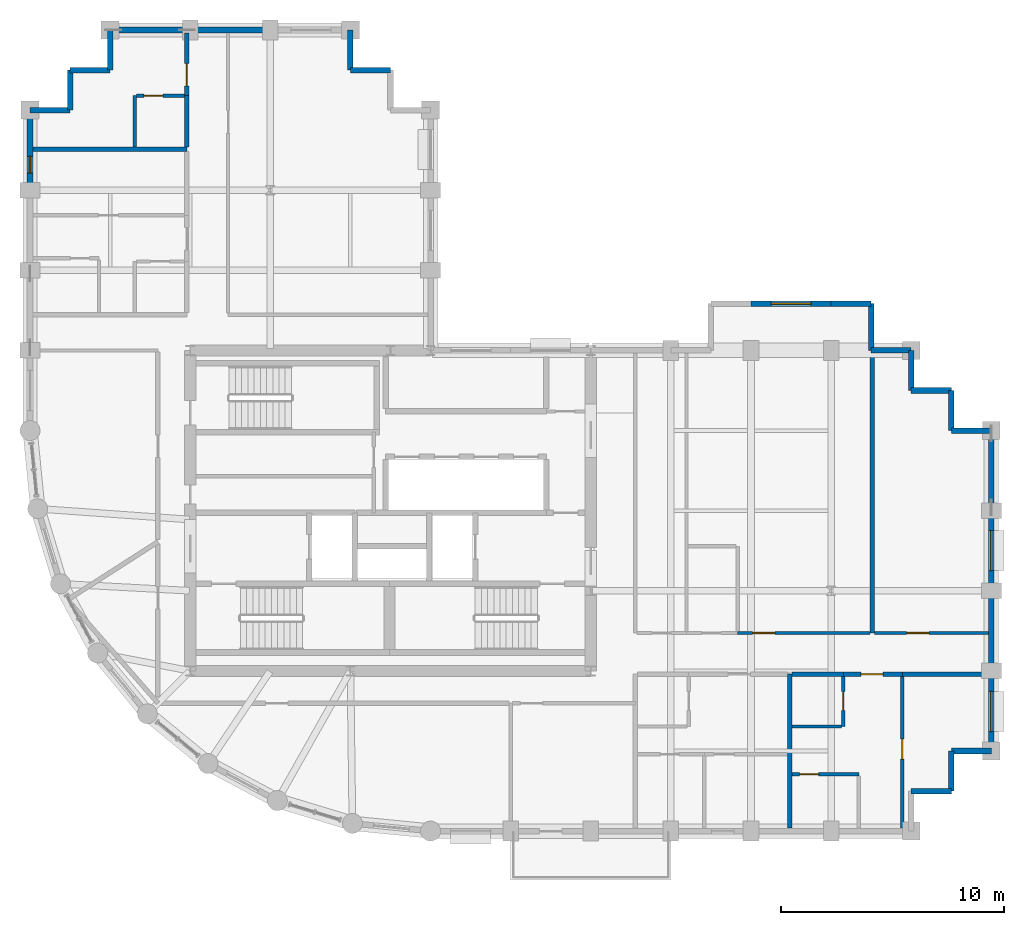
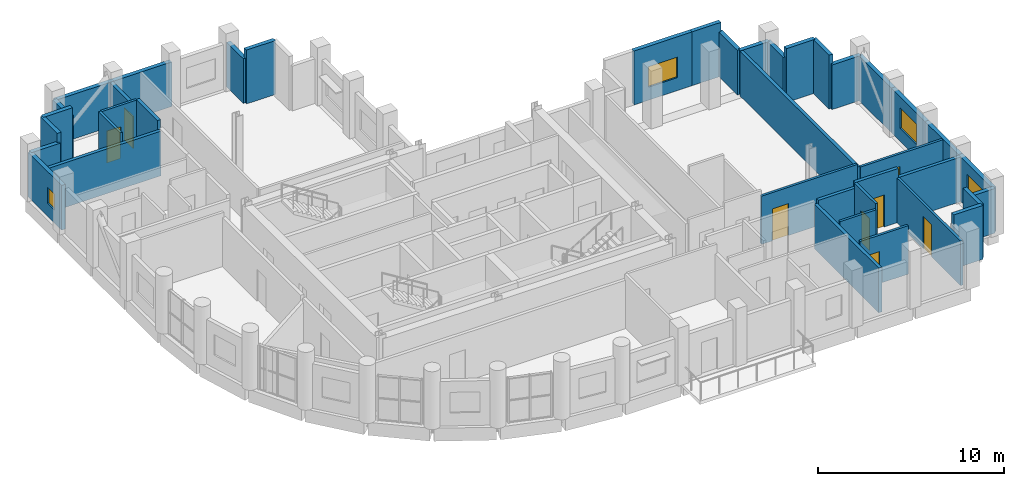
# One storey, part 9 of 12: 40 walls, 8 doors, 4 windows, 12 openings.
"""IFC4 building model written with IfcOpenShell, lengths in metres."""

from ifc_helpers import new_model, si_unit, direction, frame, frame_2d, origin, place, context, subcontext, project, spatial, rectangle, extrude, material, layer, layer_set, type_object, element, fill, save


model = new_model("IFC4")

# Units and contexts
model_context = context("Model", 3, precision=1e-05, world=origin(), true_north=direction((0.0, 1.0)))
body_context = subcontext(model_context, "Body", "Model", "MODEL_VIEW")
ifc_project = project(units=[si_unit("LENGTHUNIT", "METRE"), si_unit("AREAUNIT", "SQUARE_METRE"), si_unit("VOLUMEUNIT", "CUBIC_METRE"), si_unit("PLANEANGLEUNIT", "RADIAN"), si_unit("MASSUNIT", "GRAM", prefix="KILO")], contexts=[model_context])

# Site, building, storey
site_placement = place(None, origin())
site = spatial("IfcSite", under=ifc_project, at=site_placement, CompositionType="ELEMENT")
building_placement = place(site_placement, origin())
building = spatial("IfcBuilding", under=site, at=building_placement, Name="Solnavia Interchange Tower", CompositionType="ELEMENT")
storey_placement = place(building_placement, frame((0.0, 0.0, 182.39990234375)))
storey = spatial("IfcBuildingStorey", under=building, at=storey_placement, Name="L45", CompositionType="ELEMENT", Elevation=182.39990234375)

# Walls
ifc_material_1 = material(Name="Gypsum Acoustic Twin-Stud & Mineral Wool", Category="gypsum")
ifc_layer_1 = layer(ifc_material_1, 0.199951171875)
ifc_layer_set_1 = layer_set([ifc_layer_1], Name="Gypsum Acoustic Twin-Stud & Mineral Wool")
wall_type_1 = type_object("IfcWallType", Name="Wall-ApartmentParty-200", PredefinedType="PARTITIONING", material=ifc_layer_set_1)
wall_1_placement = place(storey_placement, frame((41.35009765625, 3.72900390625, 0.0), z_axis=(0.0, 0.0, 1.0), x_axis=(0.0, 1.0, 0.0)))
element("IfcWall", 1, at=wall_1_placement, inside=storey, type_object=wall_type_1, Name="PTW-L45-16 Interior partition wall", PredefinedType="PARTITIONING", context=body_context, shape_type="SweptSolid", body=[
    extrude(rectangle(XDim=6.9208984375, YDim=0.199951171875, at=frame_2d((3.46044921875, 0.0))), origin(), (0.0, 0.0, 1.0), 2.93017578125),
])
wall_2_placement = place(storey_placement, frame((41.4541015625, 10.64990234375, 0.0), z_axis=(0.0, 0.0, 1.0), x_axis=(1.0, 0.0, 0.0)))
element("IfcWall", 2, at=wall_2_placement, inside=storey, type_object=wall_type_1, Name="PTW-L45-24 Interior partition wall", PredefinedType="PARTITIONING", context=body_context, shape_type="SweptSolid", body=[
    extrude(rectangle(XDim=2.2958984375, YDim=0.199951171875, at=frame_2d((1.14794921875, 0.0))), origin(), (0.0, 0.0, 1.0), 3.170166015625),
])

# Wall, opening, door
wall_3_placement = place(storey_placement, frame((43.75, 10.64990234375, 0.0), z_axis=(0.0, 0.0, 1.0), x_axis=(1.0, 0.0, 0.0)))
wall_3 = element("IfcWall", 3, at=wall_3_placement, inside=storey, type_object=wall_type_1, Name="PTW-L45-27 Interior partition wall", PredefinedType="PARTITIONING", context=body_context, shape_type="SweptSolid", body=[
    extrude(rectangle(XDim=2.64990234375, YDim=0.199951171875, at=frame_2d((1.324951171875, 0.0))), origin(), (0.0, 0.0, 1.0), 3.53515625),
])
opening_1_placement = place(wall_3_placement, frame((0.7890625, 0.0, 0.0)))
opening_1 = element("IfcOpeningElement", 4, at=opening_1_placement, cuts=wall_3, Name="Opening DR-06", PredefinedType="OPENING", context=body_context, shape_type="SweptSolid", body=[
    extrude(rectangle(XDim=1.0, YDim=2.10009765625, at=frame_2d((0.5, 1.050048828125))), frame((0.0, 0.10986328125, 0.0), z_axis=(0.0, -1.0, 0.0), x_axis=(1.0, 0.0, 0.0)), (0.0, 0.0, 1.0), 0.219970703125),
])
ifc_material_2 = material(Name="Engineered Timber Acoustic Fire Door", Category="wood")
door_type_1 = type_object("IfcDoorType", Name="Door-FlatEntry-1000x2100", OperationType="SINGLE_SWING_LEFT", PredefinedType="DOOR", material=ifc_material_2)
door_1_placement = place(opening_1_placement, origin())
door_1 = element("IfcDoor", 5, at=door_1_placement, inside=storey, type_object=door_type_1, Name="DR-L45-12 Interior room door", OperationType="SINGLE_SWING_LEFT", OverallHeight=2.10009765625, OverallWidth=1.0, PredefinedType="DOOR", context=body_context, shape_type="SweptSolid", body=[
    extrude(rectangle(XDim=1.0, YDim=2.10009765625, at=frame_2d((0.5, 1.050048828125))), frame((0.0, 0.02490234375, 0.0), z_axis=(0.0, -1.0, 0.0), x_axis=(1.0, 0.0, 0.0)), (0.0, 0.0, 1.0), 0.050048828125),
])
fill(opening_1, door_1)

# Walls
wall_4_placement = place(storey_placement, frame((46.39990234375, 10.64990234375, 0.0), z_axis=(0.0, 0.0, 1.0), x_axis=(1.0, 0.0, 0.0)))
element("IfcWall", 6, at=wall_4_placement, inside=storey, type_object=wall_type_1, Name="PTW-L45-28 Interior partition wall", PredefinedType="PARTITIONING", context=body_context, shape_type="SweptSolid", body=[
    extrude(rectangle(XDim=3.87109375, YDim=0.199951171875, at=frame_2d((1.935546875, 0.0))), origin(), (0.0, 0.0, 1.0), 2.93017578125),
])
wall_5_placement = place(storey_placement, frame((45.050048828125, 12.5, 0.0), z_axis=(0.0, 0.0, 1.0), x_axis=(0.0, 1.0, 0.0)))
element("IfcWall", 7, at=wall_5_placement, inside=storey, type_object=wall_type_1, Name="PTW-L45-32 Interior partition wall", PredefinedType="PARTITIONING", context=body_context, shape_type="SweptSolid", body=[
    extrude(rectangle(XDim=12.571044921875, YDim=0.199951171875, at=frame_2d((6.28564453125, 0.0))), origin(), (0.0, 0.0, 1.0), 2.93017578125),
])
wall_6_placement = place(storey_placement, frame((7.3291015625, 34.25, 0.0), z_axis=(0.0, 0.0, 1.0), x_axis=(1.0, 0.0, 0.0)))
element("IfcWall", 8, at=wall_6_placement, inside=storey, type_object=wall_type_1, Name="PTW-L45-36 Interior partition wall", PredefinedType="PARTITIONING", context=body_context, shape_type="SweptSolid", body=[
    extrude(rectangle(XDim=6.9208984375, YDim=0.199951171875, at=frame_2d((3.46044921875, 0.0))), origin(), (0.0, 0.0, 1.0), 2.93017578125),
])
wall_7_placement = place(storey_placement, frame((14.25, 34.35400390625, 0.0), z_axis=(0.0, 0.0, 1.0), x_axis=(0.0, 1.0, 0.0)))
element("IfcWall", 9, at=wall_7_placement, inside=storey, type_object=wall_type_1, Name="PTW-L45-45 Interior partition wall", PredefinedType="PARTITIONING", context=body_context, shape_type="SweptSolid", body=[
    extrude(rectangle(XDim=2.2958984375, YDim=0.199951171875, at=frame_2d((1.14794921875, 0.0))), origin(), (0.0, 0.0, 1.0), 3.53515625),
])

# Wall, opening, door
wall_8_placement = place(storey_placement, frame((14.25, 36.64990234375, 0.0), z_axis=(0.0, 0.0, 1.0), x_axis=(0.0, 1.0, 0.0)))
wall_8 = element("IfcWall", 10, at=wall_8_placement, inside=storey, type_object=wall_type_1, Name="PTW-L45-48 Interior partition wall", PredefinedType="PARTITIONING", context=body_context, shape_type="SweptSolid", body=[
    extrude(rectangle(XDim=2.821044921875, YDim=0.199951171875, at=frame_2d((1.41064453125, 0.0))), origin(), (0.0, 0.0, 1.0), 2.93017578125),
])
opening_2_placement = place(wall_8_placement, frame((0.43701171875, 0.0, 0.0)))
opening_2 = element("IfcOpeningElement", 11, at=opening_2_placement, cuts=wall_8, Name="Opening DR-06", PredefinedType="OPENING", context=body_context, shape_type="SweptSolid", body=[
    extrude(rectangle(XDim=1.0, YDim=2.10009765625, at=frame_2d((0.5, 1.050048828125))), frame((0.0, 0.10986328125, 0.0), z_axis=(0.0, -1.0, 0.0), x_axis=(1.0, 0.0, 0.0)), (0.0, 0.0, 1.0), 0.219970703125),
])
door_2_placement = place(opening_2_placement, origin())
door_2 = element("IfcDoor", 12, at=door_2_placement, inside=storey, type_object=door_type_1, Name="DR-L45-22 Interior room door", OperationType="SINGLE_SWING_RIGHT", OverallHeight=2.10009765625, OverallWidth=1.0, PredefinedType="DOOR", context=body_context, shape_type="SweptSolid", body=[
    extrude(rectangle(XDim=1.0, YDim=2.10009765625, at=frame_2d((0.5, 1.050048828125))), frame((0.0, 0.02490234375, 0.0), z_axis=(0.0, -1.0, 0.0), x_axis=(1.0, 0.0, 0.0)), (0.0, 0.0, 1.0), 0.050048828125),
])
fill(opening_2, door_2)

# Walls
ifc_material_3 = material(Name="Concrete C40/50", Category="concrete")
ifc_layer_2 = layer(ifc_material_3, 0.25)
ifc_layer_set_2 = layer_set([ifc_layer_2], Name="Concrete C40/50")
wall_type_2 = type_object("IfcWallType", Name="Wall-ExtSpandrel-250", PredefinedType="STANDARD", material=ifc_layer_set_2)
for number, where, z_axis, x_axis, name in (
    (13, (48.60009765625, 5.39990234375, 0.0), (0.0, 0.0, 1.0), (-1.0, 0.0, 0.0), "EXW-L45-08 Exterior precast spandrel wall"),
    (14, (48.60009765625, 7.199951171875, 0.0), (0.0, 0.0, 1.0), (0.0, -1.0, 0.0), "EXW-L45-09 Exterior precast spandrel wall"),
):
    element("IfcWall", number, at=place(storey_placement, frame(where, z_axis=z_axis, x_axis=x_axis)), inside=storey, type_object=wall_type_2, Name=name, PredefinedType="STANDARD", context=body_context, shape_type="SweptSolid", body=[
        extrude(rectangle(XDim=1.800048828125, YDim=0.25, at=frame_2d((0.89990234375, 0.0))), origin(), (0.0, 0.0, 1.0), 3.53515625),
    ])
wall_9_placement = place(storey_placement, frame((50.39990234375, 7.199951171875, 0.0), z_axis=(0.0, 0.0, 1.0), x_axis=(-1.0, 0.0, 0.0)))
element("IfcWall", 15, at=wall_9_placement, inside=storey, type_object=wall_type_2, Name="EXW-L45-10 Exterior precast spandrel wall", PredefinedType="STANDARD", context=body_context, shape_type="SweptSolid", body=[
    extrude(rectangle(XDim=1.7998046875, YDim=0.25, at=frame_2d((0.89990234375, 0.0))), origin(), (0.0, 0.0, 1.0), 2.93017578125),
])

# Wall, opening, window
wall_10_placement = place(storey_placement, frame((50.39990234375, 10.800048828125, 0.0), z_axis=(0.0, 0.0, 1.0), x_axis=(0.0, -1.0, 0.0)))
wall_10 = element("IfcWall", 16, at=wall_10_placement, inside=storey, type_object=wall_type_2, Name="EXW-L45-11 Exterior precast spandrel wall", PredefinedType="STANDARD", context=body_context, shape_type="SweptSolid", body=[
    extrude(rectangle(XDim=3.60009765625, YDim=0.25, at=frame_2d((1.800048828125, 0.0))), origin(), (0.0, 0.0, 1.0), 2.93017578125),
])
opening_3_placement = place(wall_10_placement, frame((0.925048828125, 0.0, 0.85009765625)))
opening_3 = element("IfcOpeningElement", 17, at=opening_3_placement, cuts=wall_10, Name="Opening WIN-02", PredefinedType="OPENING", context=body_context, shape_type="SweptSolid", body=[
    extrude(rectangle(XDim=1.800048828125, YDim=1.35009765625, at=frame_2d((0.89990234375, 0.675048828125))), frame((0.0, 0.135009765625, 0.0), z_axis=(0.0, -1.0, 0.0), x_axis=(1.0, 0.0, 0.0)), (0.0, 0.0, 1.0), 0.27001953125),
])
ifc_material_4 = material(Name="Thermal-Break Aluminium & Low-E Glass", Category="aluminium")
window_type_1 = type_object("IfcWindowType", Name="Window-Ribbon-1800x1350", PartitioningType="SINGLE_PANEL", PredefinedType="WINDOW", material=ifc_material_4)
window_1_placement = place(opening_3_placement, origin())
window_1 = element("IfcWindow", 18, at=window_1_placement, inside=storey, type_object=window_type_1, Name="WIN-L45-11 Facade ribbon window", OverallHeight=1.35009765625, OverallWidth=1.800048828125, PartitioningType="SINGLE_PANEL", PredefinedType="WINDOW", context=body_context, shape_type="SweptSolid", body=[
    extrude(rectangle(XDim=1.800048828125, YDim=1.35009765625, at=frame_2d((0.89990234375, 0.675048828125))), frame((0.0, 0.030029296875, 0.0), z_axis=(0.0, -1.0, 0.0), x_axis=(1.0, 0.0, 0.0)), (0.0, 0.0, 1.0), 0.06005859375),
])
fill(opening_3, window_1)

# Wall
wall_11_placement = place(storey_placement, frame((50.39990234375, 14.39990234375, 0.0), z_axis=(0.0, 0.0, 1.0), x_axis=(0.0, -1.0, 0.0)))
element("IfcWall", 19, at=wall_11_placement, inside=storey, type_object=wall_type_2, Name="EXW-L45-12 Exterior precast spandrel wall", PredefinedType="STANDARD", context=body_context, shape_type="SweptSolid", body=[
    extrude(rectangle(XDim=3.599853515625, YDim=0.25, at=frame_2d((1.7998046875, 0.0))), origin(), (0.0, 0.0, 1.0), 2.93017578125),
])

# Wall, opening, window
wall_12_placement = place(storey_placement, frame((50.39990234375, 18.0, 0.0), z_axis=(0.0, 0.0, 1.0), x_axis=(0.0, -1.0, 0.0)))
wall_12 = element("IfcWall", 20, at=wall_12_placement, inside=storey, type_object=wall_type_2, Name="EXW-L45-13 Exterior precast spandrel wall", PredefinedType="STANDARD", context=body_context, shape_type="SweptSolid", body=[
    extrude(rectangle(XDim=3.60009765625, YDim=0.25, at=frame_2d((1.800048828125, 0.0))), origin(), (0.0, 0.0, 1.0), 2.93017578125),
])
opening_4_placement = place(wall_12_placement, frame((0.89990234375, 0.0, 0.85009765625)))
opening_4 = element("IfcOpeningElement", 21, at=opening_4_placement, cuts=wall_12, Name="Opening WIN-02", PredefinedType="OPENING", context=body_context, shape_type="SweptSolid", body=[
    extrude(rectangle(XDim=1.800048828125, YDim=1.35009765625, at=frame_2d((0.89990234375, 0.675048828125))), frame((0.0, 0.135009765625, 0.0), z_axis=(0.0, -1.0, 0.0), x_axis=(1.0, 0.0, 0.0)), (0.0, 0.0, 1.0), 0.27001953125),
])
window_2_placement = place(opening_4_placement, origin())
window_2 = element("IfcWindow", 22, at=window_2_placement, inside=storey, type_object=window_type_1, Name="WIN-L45-13 Facade ribbon window", OverallHeight=1.35009765625, OverallWidth=1.800048828125, PartitioningType="SINGLE_PANEL", PredefinedType="WINDOW", context=body_context, shape_type="SweptSolid", body=[
    extrude(rectangle(XDim=1.800048828125, YDim=1.35009765625, at=frame_2d((0.89990234375, 0.675048828125))), frame((0.0, 0.030029296875, 0.0), z_axis=(0.0, -1.0, 0.0), x_axis=(1.0, 0.0, 0.0)), (0.0, 0.0, 1.0), 0.06005859375),
])
fill(opening_4, window_2)

# Walls
wall_13_placement = place(storey_placement, frame((50.39990234375, 21.60009765625, 0.0), z_axis=(0.0, 0.0, 1.0), x_axis=(0.0, -1.0, 0.0)))
element("IfcWall", 23, at=wall_13_placement, inside=storey, type_object=wall_type_2, Name="EXW-L45-14 Exterior precast spandrel wall", PredefinedType="STANDARD", context=body_context, shape_type="SweptSolid", body=[
    extrude(rectangle(XDim=3.60009765625, YDim=0.25, at=frame_2d((1.800048828125, 0.0))), origin(), (0.0, 0.0, 1.0), 2.93017578125),
])
wall_14_placement = place(storey_placement, frame((48.60009765625, 21.60009765625, 0.0), z_axis=(0.0, 0.0, 1.0), x_axis=(1.0, 0.0, 0.0)))
element("IfcWall", 24, at=wall_14_placement, inside=storey, type_object=wall_type_2, Name="EXW-L45-15 Exterior precast spandrel wall", PredefinedType="STANDARD", context=body_context, shape_type="SweptSolid", body=[
    extrude(rectangle(XDim=1.7998046875, YDim=0.25, at=frame_2d((0.89990234375, 0.0))), origin(), (0.0, 0.0, 1.0), 2.93017578125),
])
wall_15_placement = place(storey_placement, frame((48.60009765625, 23.39990234375, 0.0), z_axis=(0.0, 0.0, 1.0), x_axis=(0.0, -1.0, 0.0)))
element("IfcWall", 25, at=wall_15_placement, inside=storey, type_object=wall_type_2, Name="EXW-L45-16 Exterior precast spandrel wall", PredefinedType="STANDARD", context=body_context, shape_type="SweptSolid", body=[
    extrude(rectangle(XDim=1.7998046875, YDim=0.25, at=frame_2d((0.89990234375, 0.0))), origin(), (0.0, 0.0, 1.0), 3.53515625),
])
wall_16_placement = place(storey_placement, frame((46.800048828125, 23.39990234375, 0.0), z_axis=(0.0, 0.0, 1.0), x_axis=(1.0, 0.0, 0.0)))
element("IfcWall", 26, at=wall_16_placement, inside=storey, type_object=wall_type_2, Name="EXW-L45-17 Exterior precast spandrel wall", PredefinedType="STANDARD", context=body_context, shape_type="SweptSolid", body=[
    extrude(rectangle(XDim=1.800048828125, YDim=0.25, at=frame_2d((0.89990234375, 0.0))), origin(), (0.0, 0.0, 1.0), 3.53515625),
])
for number, where, z_axis, x_axis, name in (
    (27, (46.800048828125, 25.199951171875, 0.0), (0.0, 0.0, 1.0), (0.0, -1.0, 0.0), "EXW-L45-18 Exterior precast spandrel wall"),
    (28, (45.0, 25.199951171875, 0.0), (0.0, 0.0, 1.0), (1.0, 0.0, 0.0), "EXW-L45-19 Exterior precast spandrel wall"),
):
    element("IfcWall", number, at=place(storey_placement, frame(where, z_axis=z_axis, x_axis=x_axis)), inside=storey, type_object=wall_type_2, Name=name, PredefinedType="STANDARD", context=body_context, shape_type="SweptSolid", body=[
        extrude(rectangle(XDim=1.800048828125, YDim=0.25, at=frame_2d((0.89990234375, 0.0))), origin(), (0.0, 0.0, 1.0), 2.93017578125),
    ])
wall_17_placement = place(storey_placement, frame((45.0, 27.300048828125, 0.0), z_axis=(0.0, 0.0, 1.0), x_axis=(0.0, -1.0, 0.0)))
element("IfcWall", 29, at=wall_17_placement, inside=storey, type_object=wall_type_2, Name="EXW-L45-20 Exterior precast spandrel wall", PredefinedType="STANDARD", context=body_context, shape_type="SweptSolid", body=[
    extrude(rectangle(XDim=2.10009765625, YDim=0.25, at=frame_2d((1.050048828125, 0.0))), origin(), (0.0, 0.0, 1.0), 2.93017578125),
])
wall_18_placement = place(storey_placement, frame((43.199951171875, 27.300048828125, 0.0), z_axis=(0.0, 0.0, 1.0), x_axis=(1.0, 0.0, 0.0)))
element("IfcWall", 30, at=wall_18_placement, inside=storey, type_object=wall_type_2, Name="EXW-L45-21 Exterior precast spandrel wall", PredefinedType="STANDARD", context=body_context, shape_type="SweptSolid", body=[
    extrude(rectangle(XDim=1.800048828125, YDim=0.25, at=frame_2d((0.89990234375, 0.0))), origin(), (0.0, 0.0, 1.0), 3.53515625),
])

# Wall, opening, window
wall_19_placement = place(storey_placement, frame((39.60009765625, 27.300048828125, 0.0), z_axis=(0.0, 0.0, 1.0), x_axis=(1.0, 0.0, 0.0)))
wall_19 = element("IfcWall", 31, at=wall_19_placement, inside=storey, type_object=wall_type_2, Name="EXW-L45-22 Exterior precast spandrel wall", PredefinedType="STANDARD", context=body_context, shape_type="SweptSolid", body=[
    extrude(rectangle(XDim=3.599853515625, YDim=0.25, at=frame_2d((1.7998046875, 0.0))), origin(), (0.0, 0.0, 1.0), 3.53515625),
])
opening_5_placement = place(wall_19_placement, frame((0.89990234375, 0.0, 0.85009765625)))
opening_5 = element("IfcOpeningElement", 32, at=opening_5_placement, cuts=wall_19, Name="Opening WIN-02", PredefinedType="OPENING", context=body_context, shape_type="SweptSolid", body=[
    extrude(rectangle(XDim=1.800048828125, YDim=1.35009765625, at=frame_2d((0.89990234375, 0.675048828125))), frame((0.0, 0.135009765625, 0.0), z_axis=(0.0, -1.0, 0.0), x_axis=(1.0, 0.0, 0.0)), (0.0, 0.0, 1.0), 0.27001953125),
])
window_3_placement = place(opening_5_placement, origin())
window_3 = element("IfcWindow", 33, at=window_3_placement, inside=storey, type_object=window_type_1, Name="WIN-L45-22 Facade ribbon window", OverallHeight=1.35009765625, OverallWidth=1.800048828125, PartitioningType="SINGLE_PANEL", PredefinedType="WINDOW", context=body_context, shape_type="SweptSolid", body=[
    extrude(rectangle(XDim=1.800048828125, YDim=1.35009765625, at=frame_2d((0.89990234375, 0.675048828125))), frame((0.0, 0.030029296875, 0.0), z_axis=(0.0, -1.0, 0.0), x_axis=(1.0, 0.0, 0.0)), (0.0, 0.0, 1.0), 0.06005859375),
])
fill(opening_5, window_3)

# Walls
wall_20_placement = place(storey_placement, frame((21.60009765625, 37.800048828125, 0.0), z_axis=(0.0, 0.0, 1.0), x_axis=(1.0, 0.0, 0.0)))
element("IfcWall", 34, at=wall_20_placement, inside=storey, type_object=wall_type_2, Name="EXW-L45-34 Exterior precast spandrel wall", PredefinedType="STANDARD", context=body_context, shape_type="SweptSolid", body=[
    extrude(rectangle(XDim=1.7998046875, YDim=0.25, at=frame_2d((0.89990234375, 0.0))), origin(), (0.0, 0.0, 1.0), 3.53515625),
])
wall_21_placement = place(storey_placement, frame((21.60009765625, 37.800048828125, 0.0), z_axis=(0.0, 0.0, 1.0), x_axis=(0.0, 1.0, 0.0)))
element("IfcWall", 35, at=wall_21_placement, inside=storey, type_object=wall_type_2, Name="EXW-L45-35 Exterior precast spandrel wall", PredefinedType="STANDARD", context=body_context, shape_type="SweptSolid", body=[
    extrude(rectangle(XDim=1.800048828125, YDim=0.25, at=frame_2d((0.89990234375, 0.0))), origin(), (0.0, 0.0, 1.0), 2.93017578125),
])
wall_22_placement = place(storey_placement, frame((14.39990234375, 39.60009765625, 0.0), z_axis=(0.0, 0.0, 1.0), x_axis=(1.0, 0.0, 0.0)))
element("IfcWall", 36, at=wall_22_placement, inside=storey, type_object=wall_type_2, Name="EXW-L45-37 Exterior precast spandrel wall", PredefinedType="STANDARD", context=body_context, shape_type="SweptSolid", body=[
    extrude(rectangle(XDim=3.60009765625, YDim=0.25, at=frame_2d((1.800048828125, 0.0))), origin(), (0.0, 0.0, 1.0), 2.93017578125),
])
wall_23_placement = place(storey_placement, frame((10.800048828125, 39.60009765625, 0.0), z_axis=(0.0, 0.0, 1.0), x_axis=(1.0, 0.0, 0.0)))
element("IfcWall", 37, at=wall_23_placement, inside=storey, type_object=wall_type_2, Name="EXW-L45-38 Exterior precast spandrel wall", PredefinedType="STANDARD", context=body_context, shape_type="SweptSolid", body=[
    extrude(rectangle(XDim=3.599853515625, YDim=0.25, at=frame_2d((1.7998046875, 0.0))), origin(), (0.0, 0.0, 1.0), 2.93017578125),
])
wall_24_placement = place(storey_placement, frame((10.800048828125, 37.800048828125, 0.0), z_axis=(0.0, 0.0, 1.0), x_axis=(0.0, 1.0, 0.0)))
element("IfcWall", 38, at=wall_24_placement, inside=storey, type_object=wall_type_2, Name="EXW-L45-39 Exterior precast spandrel wall", PredefinedType="STANDARD", context=body_context, shape_type="SweptSolid", body=[
    extrude(rectangle(XDim=1.800048828125, YDim=0.25, at=frame_2d((0.89990234375, 0.0))), origin(), (0.0, 0.0, 1.0), 2.93017578125),
])
for number, where, z_axis, x_axis, name in (
    (39, (9.0, 37.800048828125, 0.0), (0.0, 0.0, 1.0), (1.0, 0.0, 0.0), "EXW-L45-40 Exterior precast spandrel wall"),
    (40, (9.0, 36.0, 0.0), (0.0, 0.0, 1.0), (0.0, 1.0, 0.0), "EXW-L45-41 Exterior precast spandrel wall"),
):
    element("IfcWall", number, at=place(storey_placement, frame(where, z_axis=z_axis, x_axis=x_axis)), inside=storey, type_object=wall_type_2, Name=name, PredefinedType="STANDARD", context=body_context, shape_type="SweptSolid", body=[
        extrude(rectangle(XDim=1.800048828125, YDim=0.25, at=frame_2d((0.89990234375, 0.0))), origin(), (0.0, 0.0, 1.0), 3.53515625),
    ])
wall_25_placement = place(storey_placement, frame((7.199951171875, 36.0, 0.0), z_axis=(0.0, 0.0, 1.0), x_axis=(1.0, 0.0, 0.0)))
element("IfcWall", 41, at=wall_25_placement, inside=storey, type_object=wall_type_2, Name="EXW-L45-42 Exterior precast spandrel wall", PredefinedType="STANDARD", context=body_context, shape_type="SweptSolid", body=[
    extrude(rectangle(XDim=1.800048828125, YDim=0.25, at=frame_2d((0.89990234375, 0.0))), origin(), (0.0, 0.0, 1.0), 2.93017578125),
])

# Wall, opening, window
wall_26_placement = place(storey_placement, frame((7.199951171875, 32.39990234375, 0.0), z_axis=(0.0, 0.0, 1.0), x_axis=(0.0, 1.0, 0.0)))
wall_26 = element("IfcWall", 42, at=wall_26_placement, inside=storey, type_object=wall_type_2, Name="EXW-L45-43 Exterior precast spandrel wall", PredefinedType="STANDARD", context=body_context, shape_type="SweptSolid", body=[
    extrude(rectangle(XDim=3.60009765625, YDim=0.25, at=frame_2d((1.800048828125, 0.0))), origin(), (0.0, 0.0, 1.0), 2.93017578125),
])
opening_6_placement = place(wall_26_placement, frame((0.77294921875, 0.0, 0.85009765625)))
opening_6 = element("IfcOpeningElement", 43, at=opening_6_placement, cuts=wall_26, Name="Opening WIN-08", PredefinedType="OPENING", context=body_context, shape_type="SweptSolid", body=[
    extrude(rectangle(XDim=0.75, YDim=1.050048828125, at=frame_2d((0.375, 0.52490234375))), frame((0.0, 0.135009765625, 0.0), z_axis=(0.0, -1.0, 0.0), x_axis=(1.0, 0.0, 0.0)), (0.0, 0.0, 1.0), 0.27001953125),
])
window_type_2 = type_object("IfcWindowType", Name="Window-Bedroom-750x1050", PartitioningType="SINGLE_PANEL", PredefinedType="WINDOW", material=ifc_material_4)
window_4_placement = place(opening_6_placement, origin())
window_4 = element("IfcWindow", 44, at=window_4_placement, inside=storey, type_object=window_type_2, Name="WIN-L45-DW02 Dwelling bedroom window", OverallHeight=1.050048828125, OverallWidth=0.75, PartitioningType="SINGLE_PANEL", PredefinedType="WINDOW", context=body_context, shape_type="SweptSolid", body=[
    extrude(rectangle(XDim=0.75, YDim=1.050048828125, at=frame_2d((0.375, 0.52490234375))), frame((0.0, 0.030029296875, 0.0), z_axis=(0.0, -1.0, 0.0), x_axis=(1.0, 0.0, 0.0)), (0.0, 0.0, 1.0), 0.06005859375),
])
fill(opening_6, window_4)

# Wall, opening, door
ifc_material_5 = material(Name="Gypsum Plasterboard & Steel Stud", Category="steel")
ifc_layer_3 = layer(ifc_material_5, 0.14990234375)
ifc_layer_set_3 = layer_set([ifc_layer_3], Name="Gypsum Plasterboard & Steel Stud")
wall_type_3 = type_object("IfcWallType", Name="Wall-Partition-150", PredefinedType="PARTITIONING", material=ifc_layer_set_3)
wall_27_placement = place(storey_placement, frame((46.39990234375, 3.72900390625, 0.0), z_axis=(0.0, 0.0, 1.0), x_axis=(0.0, 1.0, 0.0)))
wall_27 = element("IfcWall", 45, at=wall_27_placement, inside=storey, type_object=wall_type_3, Name="PTW-L45-29 Interior partition wall", PredefinedType="PARTITIONING", context=body_context, shape_type="SweptSolid", body=[
    extrude(rectangle(XDim=6.81689453125, YDim=0.14990234375, at=frame_2d((3.408447265625, 0.0))), origin(), (0.0, 0.0, 1.0), 2.93017578125),
])
opening_7_placement = place(wall_27_placement, frame((3.10595703125, 0.0, 0.0)))
opening_7 = element("IfcOpeningElement", 46, at=opening_7_placement, cuts=wall_27, Name="Opening DR-09", PredefinedType="OPENING", context=body_context, shape_type="SweptSolid", body=[
    extrude(rectangle(XDim=0.89990234375, YDim=2.10009765625, at=frame_2d((0.449951171875, 1.050048828125))), frame((0.0, 0.0849609375, 0.0), z_axis=(0.0, -1.0, 0.0), x_axis=(1.0, 0.0, 0.0)), (0.0, 0.0, 1.0), 0.169921875),
])
ifc_material_6 = material(Name="Engineered Oak Veneer Door", Category="wood")
door_type_2 = type_object("IfcDoorType", Name="Door-Internal-900x2100", OperationType="SINGLE_SWING_LEFT", PredefinedType="DOOR", material=ifc_material_6)
door_3_placement = place(opening_7_placement, origin())
door_3 = element("IfcDoor", 47, at=door_3_placement, inside=storey, type_object=door_type_2, Name="DR-L45-13 Interior room door", OperationType="SINGLE_SWING_RIGHT", OverallHeight=2.10009765625, OverallWidth=0.89990234375, PredefinedType="DOOR", context=body_context, shape_type="SweptSolid", body=[
    extrude(rectangle(XDim=0.89990234375, YDim=2.10009765625, at=frame_2d((0.449951171875, 1.050048828125))), frame((0.0, 0.02490234375, 0.0), z_axis=(0.0, -1.0, 0.0), x_axis=(1.0, 0.0, 0.0)), (0.0, 0.0, 1.0), 0.050048828125),
])
fill(opening_7, door_3)

wall_28_placement = place(storey_placement, frame((39.0, 12.5, 0.0), z_axis=(0.0, 0.0, 1.0), x_axis=(1.0, 0.0, 0.0)))
wall_28 = element("IfcWall", 48, at=wall_28_placement, inside=storey, type_object=wall_type_3, Name="PTW-L45-33 Interior partition wall", PredefinedType="PARTITIONING", context=body_context, shape_type="SweptSolid", body=[
    extrude(rectangle(XDim=5.946044921875, YDim=0.14990234375, at=frame_2d((2.97314453125, 0.0))), origin(), (0.0, 0.0, 1.0), 3.170166015625),
])
opening_8_placement = place(wall_28_placement, frame((0.675048828125, 0.0, 0.0)))
opening_8 = element("IfcOpeningElement", 49, at=opening_8_placement, cuts=wall_28, Name="Opening DR-07", PredefinedType="OPENING", context=body_context, shape_type="SweptSolid", body=[
    extrude(rectangle(XDim=1.0, YDim=2.10009765625, at=frame_2d((0.5, 1.050048828125))), frame((0.0, 0.0849609375, 0.0), z_axis=(0.0, -1.0, 0.0), x_axis=(1.0, 0.0, 0.0)), (0.0, 0.0, 1.0), 0.169921875),
])
ifc_material_7 = material(Name="Timber & Acoustic Glazed Office Door", Category="wood")
door_type_3 = type_object("IfcDoorType", Name="Door-Office-1000x2100", OperationType="SINGLE_SWING_RIGHT", PredefinedType="DOOR", material=ifc_material_7)
door_4_placement = place(opening_8_placement, origin())
door_4 = element("IfcDoor", 50, at=door_4_placement, inside=storey, type_object=door_type_3, Name="DR-L45-15 Interior room door", OperationType="SINGLE_SWING_RIGHT", OverallHeight=2.10009765625, OverallWidth=1.0, PredefinedType="DOOR", context=body_context, shape_type="SweptSolid", body=[
    extrude(rectangle(XDim=1.0, YDim=2.10009765625, at=frame_2d((0.5, 1.050048828125))), frame((0.0, 0.02490234375, 0.0), z_axis=(0.0, -1.0, 0.0), x_axis=(1.0, 0.0, 0.0)), (0.0, 0.0, 1.0), 0.050048828125),
])
fill(opening_8, door_4)

wall_29_placement = place(storey_placement, frame((45.154052734375, 12.5, 0.0), z_axis=(0.0, 0.0, 1.0), x_axis=(1.0, 0.0, 0.0)))
wall_29 = element("IfcWall", 51, at=wall_29_placement, inside=storey, type_object=wall_type_3, Name="PTW-L45-34 Interior partition wall", PredefinedType="PARTITIONING", context=body_context, shape_type="SweptSolid", body=[
    extrude(rectangle(XDim=5.116943359375, YDim=0.14990234375, at=frame_2d((2.55859375, 0.0))), origin(), (0.0, 0.0, 1.0), 2.93017578125),
])
opening_9_placement = place(wall_29_placement, frame((1.43994140625, 0.0, 0.0)))
opening_9 = element("IfcOpeningElement", 52, at=opening_9_placement, cuts=wall_29, Name="Opening DR-07", PredefinedType="OPENING", context=body_context, shape_type="SweptSolid", body=[
    extrude(rectangle(XDim=1.0, YDim=2.10009765625, at=frame_2d((0.5, 1.050048828125))), frame((0.0, 0.0849609375, 0.0), z_axis=(0.0, -1.0, 0.0), x_axis=(1.0, 0.0, 0.0)), (0.0, 0.0, 1.0), 0.169921875),
])
door_5_placement = place(opening_9_placement, origin())
door_5 = element("IfcDoor", 53, at=door_5_placement, inside=storey, type_object=door_type_3, Name="DR-L45-16 Interior room door", OperationType="SINGLE_SWING_RIGHT", OverallHeight=2.10009765625, OverallWidth=1.0, PredefinedType="DOOR", context=body_context, shape_type="SweptSolid", body=[
    extrude(rectangle(XDim=1.0, YDim=2.10009765625, at=frame_2d((0.5, 1.050048828125))), frame((0.0, 0.02490234375, 0.0), z_axis=(0.0, -1.0, 0.0), x_axis=(1.0, 0.0, 0.0)), (0.0, 0.0, 1.0), 0.050048828125),
])
fill(opening_9, door_5)

ifc_material_8 = material(Name="Moisture-Resistant Gypsum & Steel Stud", Category="steel")
ifc_layer_4 = layer(ifc_material_8, 0.14990234375)
ifc_layer_set_4 = layer_set([ifc_layer_4], Name="Moisture-Resistant Gypsum & Steel Stud")
wall_type_4 = type_object("IfcWallType", Name="Wall-WetRoom-150", PredefinedType="PARTITIONING", material=ifc_layer_set_4)
wall_30_placement = place(storey_placement, frame((43.75, 8.300048828125, 0.0), z_axis=(0.0, 0.0, 1.0), x_axis=(0.0, 1.0, 0.0)))
wall_30 = element("IfcWall", 54, at=wall_30_placement, inside=storey, type_object=wall_type_4, Name="PTW-L45-25 Interior partition wall", PredefinedType="PARTITIONING", context=body_context, shape_type="SweptSolid", body=[
    extrude(rectangle(XDim=2.245849609375, YDim=0.14990234375, at=frame_2d((1.123046875, 0.0))), origin(), (0.0, 0.0, 1.0), 3.53515625),
])
opening_10_placement = place(wall_30_placement, frame((0.719970703125, 0.0, 0.0)))
opening_10 = element("IfcOpeningElement", 55, at=opening_10_placement, cuts=wall_30, Name="Opening DR-10", PredefinedType="OPENING", context=body_context, shape_type="SweptSolid", body=[
    extrude(rectangle(XDim=0.85009765625, YDim=2.10009765625, at=frame_2d((0.425048828125, 1.050048828125))), frame((0.0, 0.0849609375, 0.0), z_axis=(0.0, -1.0, 0.0), x_axis=(1.0, 0.0, 0.0)), (0.0, 0.0, 1.0), 0.169921875),
])
ifc_material_9 = material(Name="Moisture-Resistant Timber Door", Category="wood")
door_type_4 = type_object("IfcDoorType", Name="Door-Bathroom-850x2100", OperationType="SINGLE_SWING_RIGHT", PredefinedType="DOOR", material=ifc_material_9)
door_6_placement = place(opening_10_placement, origin())
door_6 = element("IfcDoor", 56, at=door_6_placement, inside=storey, type_object=door_type_4, Name="DR-L45-11 Interior room door", OperationType="SINGLE_SWING_RIGHT", OverallHeight=2.10009765625, OverallWidth=0.85009765625, PredefinedType="DOOR", context=body_context, shape_type="SweptSolid", body=[
    extrude(rectangle(XDim=0.85009765625, YDim=2.10009765625, at=frame_2d((0.425048828125, 1.050048828125))), frame((0.0, 0.02490234375, 0.0), z_axis=(0.0, -1.0, 0.0), x_axis=(1.0, 0.0, 0.0)), (0.0, 0.0, 1.0), 0.050048828125),
])
fill(opening_10, door_6)

# Wall
wall_31_placement = place(storey_placement, frame((41.4541015625, 8.300048828125, 0.0), z_axis=(0.0, 0.0, 1.0), x_axis=(1.0, 0.0, 0.0)))
element("IfcWall", 57, at=wall_31_placement, inside=storey, type_object=wall_type_4, Name="PTW-L45-26 Interior partition wall", PredefinedType="PARTITIONING", context=body_context, shape_type="SweptSolid", body=[
    extrude(rectangle(XDim=2.216796875, YDim=0.14990234375, at=frame_2d((1.1083984375, 0.0))), origin(), (0.0, 0.0, 1.0), 3.18017578125),
])

# Wall, opening, door
wall_32_placement = place(storey_placement, frame((41.4541015625, 6.14990234375, 0.0), z_axis=(0.0, 0.0, 1.0), x_axis=(1.0, 0.0, 0.0)))
wall_32 = element("IfcWall", 58, at=wall_32_placement, inside=storey, type_object=wall_type_4, Name="PTW-L45-30 Interior partition wall", PredefinedType="PARTITIONING", context=body_context, shape_type="SweptSolid", body=[
    extrude(rectangle(XDim=2.995849609375, YDim=0.14990234375, at=frame_2d((1.498046875, 0.0))), origin(), (0.0, 0.0, 1.0), 3.18017578125),
])
opening_11_placement = place(wall_32_placement, frame((0.3330078125, 0.0, 0.0)))
opening_11 = element("IfcOpeningElement", 59, at=opening_11_placement, cuts=wall_32, Name="Opening DR-10", PredefinedType="OPENING", context=body_context, shape_type="SweptSolid", body=[
    extrude(rectangle(XDim=0.85009765625, YDim=2.10009765625, at=frame_2d((0.425048828125, 1.050048828125))), frame((0.0, 0.0849609375, 0.0), z_axis=(0.0, -1.0, 0.0), x_axis=(1.0, 0.0, 0.0)), (0.0, 0.0, 1.0), 0.169921875),
])
door_7_placement = place(opening_11_placement, origin())
door_7 = element("IfcDoor", 60, at=door_7_placement, inside=storey, type_object=door_type_4, Name="DR-L45-14 Interior room door", OperationType="SINGLE_SWING_LEFT", OverallHeight=2.10009765625, OverallWidth=0.85009765625, PredefinedType="DOOR", context=body_context, shape_type="SweptSolid", body=[
    extrude(rectangle(XDim=0.85009765625, YDim=2.10009765625, at=frame_2d((0.425048828125, 1.050048828125))), frame((0.0, 0.02490234375, 0.0), z_axis=(0.0, -1.0, 0.0), x_axis=(1.0, 0.0, 0.0)), (0.0, 0.0, 1.0), 0.050048828125),
])
fill(opening_11, door_7)

# Wall
wall_33_placement = place(storey_placement, frame((11.89990234375, 34.35400390625, 0.0), z_axis=(0.0, 0.0, 1.0), x_axis=(0.0, 1.0, 0.0)))
element("IfcWall", 61, at=wall_33_placement, inside=storey, type_object=wall_type_4, Name="PTW-L45-46 Interior partition wall", PredefinedType="PARTITIONING", context=body_context, shape_type="SweptSolid", body=[
    extrude(rectangle(XDim=2.2958984375, YDim=0.14990234375, at=frame_2d((1.14794921875, 0.0))), origin(), (0.0, 0.0, 1.0), 3.53515625),
])

# Wall, opening, door
wall_34_placement = place(storey_placement, frame((11.97900390625, 36.64990234375, 0.0), z_axis=(0.0, 0.0, 1.0), x_axis=(1.0, 0.0, 0.0)))
wall_34 = element("IfcWall", 62, at=wall_34_placement, inside=storey, type_object=wall_type_4, Name="PTW-L45-47 Interior partition wall", PredefinedType="PARTITIONING", context=body_context, shape_type="SweptSolid", body=[
    extrude(rectangle(XDim=2.1669921875, YDim=0.14990234375, at=frame_2d((1.08349609375, 0.0))), origin(), (0.0, 0.0, 1.0), 3.53515625),
])
opening_12_placement = place(wall_34_placement, frame((0.341064453125, 0.0, 0.0)))
opening_12 = element("IfcOpeningElement", 63, at=opening_12_placement, cuts=wall_34, Name="Opening DR-10", PredefinedType="OPENING", context=body_context, shape_type="SweptSolid", body=[
    extrude(rectangle(XDim=0.85009765625, YDim=2.10009765625, at=frame_2d((0.425048828125, 1.050048828125))), frame((0.0, 0.0849609375, 0.0), z_axis=(0.0, -1.0, 0.0), x_axis=(1.0, 0.0, 0.0)), (0.0, 0.0, 1.0), 0.169921875),
])
door_8_placement = place(opening_12_placement, origin())
door_8 = element("IfcDoor", 64, at=door_8_placement, inside=storey, type_object=door_type_4, Name="DR-L45-21 Interior room door", OperationType="SINGLE_SWING_LEFT", OverallHeight=2.10009765625, OverallWidth=0.85009765625, PredefinedType="DOOR", context=body_context, shape_type="SweptSolid", body=[
    extrude(rectangle(XDim=0.85009765625, YDim=2.10009765625, at=frame_2d((0.425048828125, 1.050048828125))), frame((0.0, 0.02490234375, 0.0), z_axis=(0.0, -1.0, 0.0), x_axis=(1.0, 0.0, 0.0)), (0.0, 0.0, 1.0), 0.050048828125),
])
fill(opening_12, door_8)

save(model, "model.ifc")
